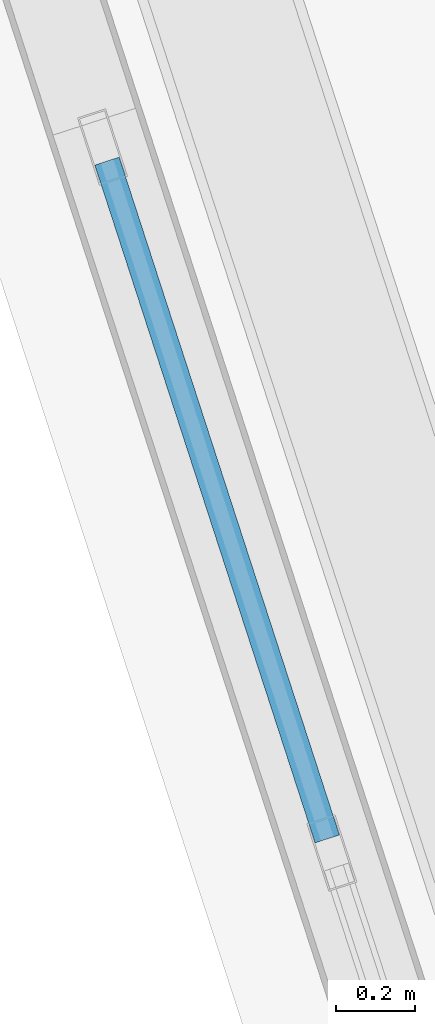
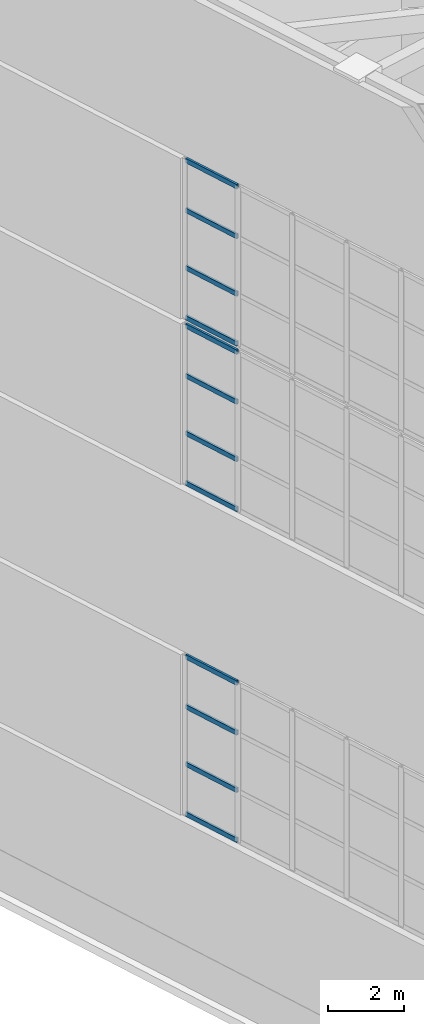
# One storey, part 10 of 56: 12 members, 3 elements without a shape of their own.
"""IFC4 building model written with IfcOpenShell, lengths in metres."""

import ifcopenshell
import ifcopenshell.guid

model = None  # the IFC model being written
_history = None  # IfcOwnerHistory: only IFC2X3 demands one
_inside = {}  # id of a spatial element -> (the spatial element, [elements in it])
_under = {}  # id of a project, library or spatial element -> (it, [spatial elements below it])
_declared = {}  # id of a project -> (the project, [libraries it declares])
_typed = {}  # id of a type object -> (the type object, [elements of that type])
_made_of = {}  # id of a material, layer set ... -> (it, [elements and type objects made of it])


def new_model(schema):
    """Start an empty IFC model of exactly this schema.

    Asked for "IFC4X3", IfcOpenShell would pick the latest addendum, in which some entities
    have other attributes; the version numbers below select the first issue.
    IFC2X3 requires an IfcOwnerHistory on every rooted entity: one is made here for all.
    """
    global model, _history
    if schema == "IFC4X3":
        model = ifcopenshell.file(schema_version=(4, 3, 0, 0))
    else:
        model = ifcopenshell.file(schema=schema)
    _inside.clear()
    _under.clear()
    _declared.clear()
    _typed.clear()
    _made_of.clear()
    _history = None
    if model.schema == "IFC2X3":
        org = make("IfcOrganization", Name="unknown")
        user = make(
            "IfcPersonAndOrganization",
            ThePerson=make("IfcPerson", FamilyName="unknown"),
            TheOrganization=org,
        )
        app = make(
            "IfcApplication",
            ApplicationDeveloper=org,
            Version="unknown",
            ApplicationFullName="unknown",
            ApplicationIdentifier="unknown",
        )
        _history = make(
            "IfcOwnerHistory",
            OwningUser=user,
            OwningApplication=app,
            ChangeAction="ADDED",
            CreationDate=0,
        )
    return model


def make(cls, **values):
    """One entity of the class cls with the attributes given. An attribute that is None is left unset."""
    return model.create_entity(
        cls, **{name: value for name, value in values.items() if value is not None}
    )


def rooted(cls, **values):
    """An entity with a GlobalId (a new one), such as an element, a storey or a relation."""
    return make(cls, GlobalId=ifcopenshell.guid.new(), OwnerHistory=_history, **values)


def si_unit(unit_type, name, prefix=None):
    """IfcSIUnit, for example si_unit("LENGTHUNIT", "METRE", prefix="MILLI")."""
    return make("IfcSIUnit", UnitType=unit_type, Prefix=prefix, Name=name)


def assignment(units):
    """IfcUnitAssignment: the units of a project."""
    return None if units is None else make("IfcUnitAssignment", Units=units)


def point(xyz):
    """IfcCartesianPoint."""
    return None if xyz is None else make("IfcCartesianPoint", Coordinates=xyz)


def direction(xyz):
    """IfcDirection."""
    return None if xyz is None else make("IfcDirection", DirectionRatios=xyz)


def frame(location, z_axis=None, x_axis=None):
    """IfcAxis2Placement3D, a coordinate frame: its origin and axes. An axis left out is left unset."""
    return make(
        "IfcAxis2Placement3D",
        Location=point(location),
        Axis=direction(z_axis),
        RefDirection=direction(x_axis),
    )


def frame_2d(location, x_axis=None):
    """IfcAxis2Placement2D, a coordinate frame in the plane: its origin and x axis."""
    return make(
        "IfcAxis2Placement2D", Location=point(location), RefDirection=direction(x_axis)
    )


def origin():
    """The frame at (0, 0, 0) with its axes left unset."""
    return frame((0.0, 0.0, 0.0))


def origin_2d():
    """The frame at (0, 0) in the plane with its x axis left unset."""
    return frame_2d((0.0, 0.0))


def place(relative_to, where):
    """IfcLocalPlacement: puts the frame where relative to a parent placement (None: the world)."""
    return make(
        "IfcLocalPlacement", PlacementRelTo=relative_to, RelativePlacement=where
    )


def context(
    kind, dimensions, precision=None, world=None, true_north=None, identifier=None
):
    """IfcGeometricRepresentationContext, for example the 3D "Model" context."""
    return make(
        "IfcGeometricRepresentationContext",
        ContextIdentifier=identifier,
        ContextType=kind,
        CoordinateSpaceDimension=dimensions,
        Precision=precision,
        WorldCoordinateSystem=world,
        TrueNorth=true_north,
    )


def subcontext(parent, identifier, kind, view, scale=None):
    """IfcGeometricRepresentationSubContext, for example "Body" below "Model"."""
    return make(
        "IfcGeometricRepresentationSubContext",
        ContextIdentifier=identifier,
        ContextType=kind,
        ParentContext=parent,
        TargetScale=scale,
        TargetView=view,
    )


def project(units=None, contexts=None):
    """IfcProject with its units and contexts."""
    return rooted(
        "IfcProject",
        Name="project",
        RepresentationContexts=contexts,
        UnitsInContext=assignment(units),
    )


def spatial(cls, under=None, at=None, **own):
    """A site, building, storey or space (cls), placed at a placement, below another one or the project."""
    s = rooted(cls, ObjectPlacement=at, **own)
    if under is not None:
        _under.setdefault(under.id(), (under, []))[1].append(s)
    return s


def profile(cls, at=None, kind="AREA", **sizes):
    """A parametric profile (cls). Its sizes go by their IFC names, for example OverallWidth=200.0."""
    return make(cls, ProfileType=kind, Position=at, **sizes)


def hollow_rectangle(**sizes):
    """IfcRectangleHollowProfileDef."""
    return profile("IfcRectangleHollowProfileDef", **sizes)


def extrude(swept, where, along, depth):
    """IfcExtrudedAreaSolid: the profile swept, set in the frame where, extruded along a direction by depth."""
    return make(
        "IfcExtrudedAreaSolid",
        SweptArea=swept,
        Position=where,
        ExtrudedDirection=direction(along),
        Depth=depth,
    )


def shape(context_of_items, identifier, shape_type, items):
    """IfcShapeRepresentation: the items that make up one representation, for example the "Body"."""
    return make(
        "IfcShapeRepresentation",
        ContextOfItems=context_of_items,
        RepresentationIdentifier=identifier,
        RepresentationType=shape_type,
        Items=items,
    )


def material(Name=None, Category=None):
    """IfcMaterial."""
    return make("IfcMaterial", Name=Name, Category=Category)


def layer(
    of_material, thickness, ventilated=None, Name=None, Category=None, Priority=None
):
    """IfcMaterialLayer: one layer of a wall or slab, of a material (None: an air gap)."""
    return make(
        "IfcMaterialLayer",
        Material=of_material,
        LayerThickness=thickness,
        IsVentilated=ventilated,
        Name=Name,
        Category=Category,
        Priority=Priority,
    )


def layer_set(layers, Name=None):
    """IfcMaterialLayerSet."""
    return make("IfcMaterialLayerSet", MaterialLayers=layers, LayerSetName=Name)


def material_profile(
    of_material, cross_section, Name=None, Category=None, Priority=None
):
    """IfcMaterialProfile: a cross section and its material."""
    return make(
        "IfcMaterialProfile",
        Name=Name,
        Material=of_material,
        Profile=cross_section,
        Priority=Priority,
        Category=Category,
    )


def profile_set(profiles, Name=None, composite=None):
    """IfcMaterialProfileSet."""
    return make(
        "IfcMaterialProfileSet",
        Name=Name,
        MaterialProfiles=profiles,
        CompositeProfile=composite,
    )


def made_of(thing, what):
    """Note that an element or type object is made of a material, layer set ...; save() writes the relation."""
    if what is not None:
        _made_of.setdefault(what.id(), (what, []))[1].append(thing)
    return thing


def type_object(cls, material=None, **own):
    """A type object (cls), such as IfcWallType, which elements share."""
    return made_of(rooted(cls, **own), material)


def element(
    cls,
    number,
    at=None,
    inside=None,
    cuts=None,
    type_object=None,
    material=None,
    context=None,
    identifier="Body",
    shape_type=None,
    held_by="IfcProductDefinitionShape",
    body=None,
    shapes=None,
    **own,
):
    """One element of the class cls, such as IfcWall. Its Tag is "e" and its number.

    at: its placement. inside: the storey or other place that contains it. cuts: it is an
    opening in that element (IfcRelVoidsElement). A single representation is given by context,
    identifier, shape_type and body (its items); several are given by shapes. held_by: the class
    of the entity that holds the representations. save() writes the other relations.
    """
    e = rooted(cls, Tag="e%d" % number, ObjectPlacement=at, **own)
    if body is not None:
        shapes = [shape(context, identifier, shape_type, body)]
    if shapes is not None:
        e.Representation = make(held_by, Representations=shapes)
    if inside is not None:
        _inside.setdefault(inside.id(), (inside, []))[1].append(e)
    if cuts is not None:
        rooted(
            "IfcRelVoidsElement", RelatingBuildingElement=cuts, RelatedOpeningElement=e
        )
    if type_object is not None:
        _typed.setdefault(type_object.id(), (type_object, []))[1].append(e)
    return made_of(e, material)


def aggregate(whole, parts):
    """IfcRelAggregates: a whole, such as a stair, and the parts it consists of."""
    return rooted("IfcRelAggregates", RelatingObject=whole, RelatedObjects=parts)


def save(model, path):
    """Write the relations noted so far, then the file.

    IfcRelAggregates (storeys below a building ...), IfcRelContainedInSpatialStructure (elements
    in a storey), IfcRelDefinesByType, IfcRelAssociatesMaterial and IfcRelDeclares: one each for
    every whole, place, type object, material and project.
    """
    for whole, parts in _under.values():
        aggregate(whole, parts)
    for where, things in _inside.values():
        rooted(
            "IfcRelContainedInSpatialStructure",
            RelatedElements=things,
            RelatingStructure=where,
        )
    for kind, things in _typed.values():
        rooted("IfcRelDefinesByType", RelatedObjects=things, RelatingType=kind)
    for what, things in _made_of.values():
        rooted("IfcRelAssociatesMaterial", RelatedObjects=things, RelatingMaterial=what)
    for by, libraries in _declared.values():
        rooted("IfcRelDeclares", RelatingContext=by, RelatedDefinitions=libraries)
    model.write(path)


model = new_model("IFC4")

# Units and contexts
model_context = context("Model", 3, precision=1e-05, world=origin(), true_north=direction((0.0, 1.0)))
body_context = subcontext(model_context, "Body", "Model", "MODEL_VIEW")
ifc_project = project(units=[si_unit("LENGTHUNIT", "METRE"), si_unit("AREAUNIT", "SQUARE_METRE"), si_unit("VOLUMEUNIT", "CUBIC_METRE"), si_unit("PLANEANGLEUNIT", "RADIAN"), si_unit("MASSUNIT", "GRAM", prefix="KILO")], contexts=[model_context])

# Site, building, storey
site_placement = place(None, origin())
site = spatial("IfcSite", under=ifc_project, at=site_placement, CompositionType="ELEMENT")
building_placement = place(site_placement, origin())
building = spatial("IfcBuilding", under=site, at=building_placement, Name="Qiaolan Cultural Towers", CompositionType="ELEMENT")
storey_placement = place(building_placement, frame((0.0, 0.0, 250.39990234375)))
storey = spatial("IfcBuildingStorey", under=building, at=storey_placement, Name="L68", CompositionType="ELEMENT", Elevation=250.39990234375)

# Curtain wall, members
ifc_material_1 = material(Name="Unitized Anodized Aluminium Curtain Wall System", Category="aluminium")
ifc_layer = layer(ifc_material_1, 0.199951171875)
ifc_layer_set = layer_set([ifc_layer], Name="Unitized Anodized Aluminium Curtain Wall System")
curtain_wall_type = type_object("IfcCurtainWallType", Name="CWS-06", PredefinedType="NOTDEFINED", material=ifc_layer_set)
curtain_wall_1_placement = place(storey_placement, origin())
curtain_wall_1 = element("IfcCurtainWall", 1, at=curtain_wall_1_placement, inside=storey, type_object=curtain_wall_type, Name="T2 Crown Tier 2 Fritted Screen Curtain Wall 7", PredefinedType="NOTDEFINED")
ifc_material_2 = material(Name="Extruded Aluminium 6063-T6", Category="aluminium")
ifc_material_profile = material_profile(ifc_material_2, hollow_rectangle(XDim=0.06494140625, YDim=0.14990234375, WallThickness=0.00390625, at=origin_2d()), Name="CWT-150x65x4")
ifc_profile_set = profile_set([ifc_material_profile], Name="Extruded Aluminium 6063-T6")
member_type = type_object("IfcMemberType", Name="CWS-06-TRN", PredefinedType="USERDEFINED", material=ifc_profile_set)
member_1_placement = place(storey_placement, frame((75.071044921875, 35.126953125, 5.4326171875), z_axis=(0.309006671838, -0.951059870229, 0.0), x_axis=(0.951059870229, 0.309006671838, 0.0)))
member_1 = element("IfcMember", 2, at=member_1_placement, type_object=member_type, Name="CW-6 transom 1.1", ObjectType="TRANSOM", PredefinedType="USERDEFINED", context=body_context, shape_type="SweptSolid", body=[
    extrude(hollow_rectangle(XDim=0.06494140625, YDim=0.14990234375, WallThickness=0.00390625, at=origin_2d()), origin(), (0.0, 0.0, 1.0), 1.8076171875),
])
member_2_placement = place(storey_placement, frame((75.071044921875, 35.126953125, 7.030029296875), z_axis=(0.309006671838, -0.951059870229, 0.0), x_axis=(0.951059870229, 0.309006671838, 0.0)))
member_2 = element("IfcMember", 3, at=member_2_placement, type_object=member_type, Name="CW-6 transom 1.2", ObjectType="TRANSOM", PredefinedType="USERDEFINED", context=body_context, shape_type="SweptSolid", body=[
    extrude(hollow_rectangle(XDim=0.06494140625, YDim=0.14990234375, WallThickness=0.00390625, at=origin_2d()), origin(), (0.0, 0.0, 1.0), 1.8076171875),
])
member_3_placement = place(storey_placement, frame((75.071044921875, 35.126953125, 8.8701171875), z_axis=(0.309006671838, -0.951059870229, 0.0), x_axis=(0.951059870229, 0.309006671838, 0.0)))
member_3 = element("IfcMember", 4, at=member_3_placement, type_object=member_type, Name="CW-6 transom 1.3", ObjectType="TRANSOM", PredefinedType="USERDEFINED", context=body_context, shape_type="SweptSolid", body=[
    extrude(hollow_rectangle(XDim=0.06494140625, YDim=0.14990234375, WallThickness=0.00390625, at=origin_2d()), origin(), (0.0, 0.0, 1.0), 1.8076171875),
])
member_4_placement = place(storey_placement, frame((75.071044921875, 35.126953125, 10.467529296875), z_axis=(0.309006671838, -0.951059870229, 0.0), x_axis=(0.951059870229, 0.309006671838, 0.0)))
member_4 = element("IfcMember", 5, at=member_4_placement, type_object=member_type, Name="CW-6 transom 1.4", ObjectType="TRANSOM", PredefinedType="USERDEFINED", context=body_context, shape_type="SweptSolid", body=[
    extrude(hollow_rectangle(XDim=0.06494140625, YDim=0.14990234375, WallThickness=0.00390625, at=origin_2d()), origin(), (0.0, 0.0, 1.0), 1.8076171875),
])
aggregate(curtain_wall_1, [member_1, member_2, member_3, member_4])

curtain_wall_2_placement = place(storey_placement, origin())
curtain_wall_2 = element("IfcCurtainWall", 6, at=curtain_wall_2_placement, inside=storey, type_object=curtain_wall_type, Name="T2 Crown Tier 4 Fritted Screen Curtain Wall 7", PredefinedType="NOTDEFINED")
member_5_placement = place(storey_placement, frame((75.071044921875, 35.126953125, 16.03271484375), z_axis=(0.309006671838, -0.951059870229, 0.0), x_axis=(0.951059870229, 0.309006671838, 0.0)))
member_5 = element("IfcMember", 7, at=member_5_placement, type_object=member_type, Name="CW-6 transom 1.1", ObjectType="TRANSOM", PredefinedType="USERDEFINED", context=body_context, shape_type="SweptSolid", body=[
    extrude(hollow_rectangle(XDim=0.06494140625, YDim=0.14990234375, WallThickness=0.00390625, at=origin_2d()), origin(), (0.0, 0.0, 1.0), 1.8076171875),
])
member_6_placement = place(storey_placement, frame((75.071044921875, 35.126953125, 17.630126953125), z_axis=(0.309006671838, -0.951059870229, 0.0), x_axis=(0.951059870229, 0.309006671838, 0.0)))
member_6 = element("IfcMember", 8, at=member_6_placement, type_object=member_type, Name="CW-6 transom 1.2", ObjectType="TRANSOM", PredefinedType="USERDEFINED", context=body_context, shape_type="SweptSolid", body=[
    extrude(hollow_rectangle(XDim=0.06494140625, YDim=0.14990234375, WallThickness=0.00390625, at=origin_2d()), origin(), (0.0, 0.0, 1.0), 1.8076171875),
])
member_7_placement = place(storey_placement, frame((75.071044921875, 35.126953125, 19.47021484375), z_axis=(0.309006671838, -0.951059870229, 0.0), x_axis=(0.951059870229, 0.309006671838, 0.0)))
member_7 = element("IfcMember", 9, at=member_7_placement, type_object=member_type, Name="CW-6 transom 1.3", ObjectType="TRANSOM", PredefinedType="USERDEFINED", context=body_context, shape_type="SweptSolid", body=[
    extrude(hollow_rectangle(XDim=0.06494140625, YDim=0.14990234375, WallThickness=0.00390625, at=origin_2d()), origin(), (0.0, 0.0, 1.0), 1.8076171875),
])
member_8_placement = place(storey_placement, frame((75.071044921875, 35.126953125, 21.067626953125), z_axis=(0.309006671838, -0.951059870229, 0.0), x_axis=(0.951059870229, 0.309006671838, 0.0)))
member_8 = element("IfcMember", 10, at=member_8_placement, type_object=member_type, Name="CW-6 transom 1.4", ObjectType="TRANSOM", PredefinedType="USERDEFINED", context=body_context, shape_type="SweptSolid", body=[
    extrude(hollow_rectangle(XDim=0.06494140625, YDim=0.14990234375, WallThickness=0.00390625, at=origin_2d()), origin(), (0.0, 0.0, 1.0), 1.8076171875),
])
aggregate(curtain_wall_2, [member_5, member_6, member_7, member_8])

curtain_wall_3_placement = place(storey_placement, origin())
curtain_wall_3 = element("IfcCurtainWall", 11, at=curtain_wall_3_placement, inside=storey, type_object=curtain_wall_type, Name="T2 Crown Tier 5 Fritted Screen Curtain Wall 7", PredefinedType="NOTDEFINED")
member_9_placement = place(storey_placement, frame((75.071044921875, 35.126953125, 21.33251953125), z_axis=(0.309006671838, -0.951059870229, 0.0), x_axis=(0.951059870229, 0.309006671838, 0.0)))
member_9 = element("IfcMember", 12, at=member_9_placement, type_object=member_type, Name="CW-6 transom 1.1", ObjectType="TRANSOM", PredefinedType="USERDEFINED", context=body_context, shape_type="SweptSolid", body=[
    extrude(hollow_rectangle(XDim=0.06494140625, YDim=0.14990234375, WallThickness=0.00390625, at=origin_2d()), origin(), (0.0, 0.0, 1.0), 1.8076171875),
])
member_10_placement = place(storey_placement, frame((75.071044921875, 35.126953125, 22.93017578125), z_axis=(0.309006671838, -0.951059870229, 0.0), x_axis=(0.951059870229, 0.309006671838, 0.0)))
member_10 = element("IfcMember", 13, at=member_10_placement, type_object=member_type, Name="CW-6 transom 1.2", ObjectType="TRANSOM", PredefinedType="USERDEFINED", context=body_context, shape_type="SweptSolid", body=[
    extrude(hollow_rectangle(XDim=0.06494140625, YDim=0.14990234375, WallThickness=0.00390625, at=origin_2d()), origin(), (0.0, 0.0, 1.0), 1.8076171875),
])
member_11_placement = place(storey_placement, frame((75.071044921875, 35.126953125, 24.77001953125), z_axis=(0.309006671838, -0.951059870229, 0.0), x_axis=(0.951059870229, 0.309006671838, 0.0)))
member_11 = element("IfcMember", 14, at=member_11_placement, type_object=member_type, Name="CW-6 transom 1.3", ObjectType="TRANSOM", PredefinedType="USERDEFINED", context=body_context, shape_type="SweptSolid", body=[
    extrude(hollow_rectangle(XDim=0.06494140625, YDim=0.14990234375, WallThickness=0.00390625, at=origin_2d()), origin(), (0.0, 0.0, 1.0), 1.8076171875),
])
member_12_placement = place(storey_placement, frame((75.071044921875, 35.126953125, 26.36767578125), z_axis=(0.309006671838, -0.951059870229, 0.0), x_axis=(0.951059870229, 0.309006671838, 0.0)))
member_12 = element("IfcMember", 15, at=member_12_placement, type_object=member_type, Name="CW-6 transom 1.4", ObjectType="TRANSOM", PredefinedType="USERDEFINED", context=body_context, shape_type="SweptSolid", body=[
    extrude(hollow_rectangle(XDim=0.06494140625, YDim=0.14990234375, WallThickness=0.00390625, at=origin_2d()), origin(), (0.0, 0.0, 1.0), 1.8076171875),
])
aggregate(curtain_wall_3, [member_9, member_10, member_11, member_12])

save(model, "model.ifc")
